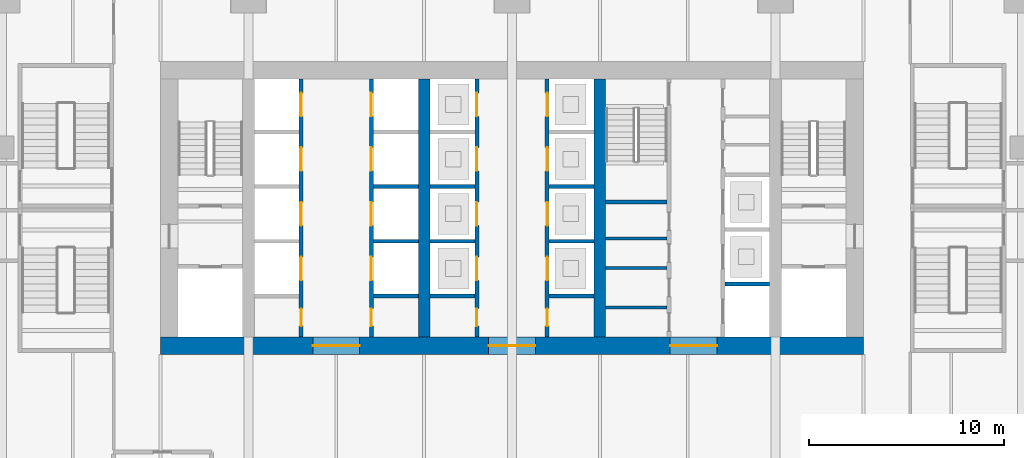
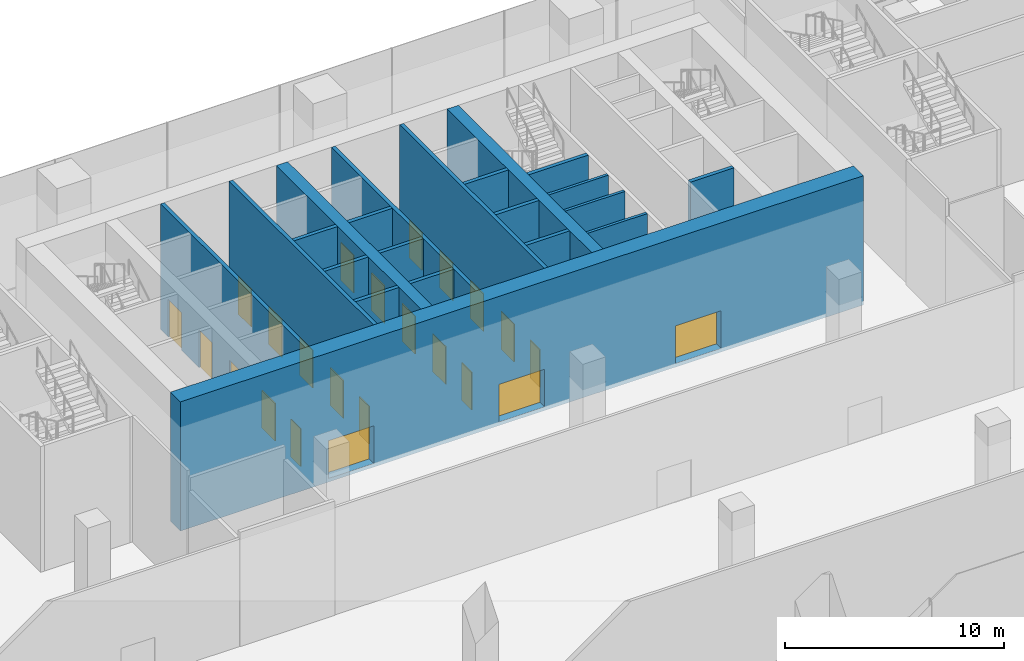
# One storey, part 30 of 41: 23 doors, 21 walls, 23 openings.
"""IFC4 building model written with IfcOpenShell, lengths in metres."""

from ifc_helpers import new_model, si_unit, direction, frame, frame_2d, origin, place, context, subcontext, project, spatial, rectangle, extrude, material, layer, layer_set, type_object, element, fill, save


model = new_model("IFC4")

# Units and contexts
model_context = context("Model", 3, precision=1e-05, world=origin(), true_north=direction((0.0, 1.0)))
body_context = subcontext(model_context, "Body", "Model", "MODEL_VIEW")
ifc_project = project(units=[si_unit("LENGTHUNIT", "METRE"), si_unit("AREAUNIT", "SQUARE_METRE"), si_unit("VOLUMEUNIT", "CUBIC_METRE"), si_unit("PLANEANGLEUNIT", "RADIAN"), si_unit("MASSUNIT", "GRAM", prefix="KILO")], contexts=[model_context])

# Site, building, storey
site_placement = place(None, origin())
site = spatial("IfcSite", under=ifc_project, at=site_placement, CompositionType="ELEMENT")
building_placement = place(site_placement, origin())
building = spatial("IfcBuilding", under=site, at=building_placement, Name="Rattan Terrace Tower", CompositionType="ELEMENT")
storey_placement = place(building_placement, origin())
storey = spatial("IfcBuildingStorey", under=building, at=storey_placement, Name="L00", CompositionType="ELEMENT", Elevation=0.0)

# Walls
ifc_material_1 = material(Name="Gypsum board partition")
ifc_layer_1 = layer(ifc_material_1, 0.14990234375)
ifc_layer_set_1 = layer_set([ifc_layer_1], Name="Core partition 150")
wall_type_1 = type_object("IfcWallType", Name="Core partition 150", PredefinedType="PARTITIONING", material=ifc_layer_set_1)
for number, where, z_axis, x_axis, name in (
    (1, (4.800048828125, -5.10400390625, 0.0), (0.0, 0.0, 1.0), (1.0, 0.0, 0.0), "Toilet wall"),
    (2, (4.800048828125, -3.06396484375, 0.0), (0.0, 0.0, 1.0), (1.0, 0.0, 0.0), "Toilet wall"),
    (3, (4.800048828125, -1.568115234375, 0.0), (0.0, 0.0, 1.0), (1.0, 0.0, 0.0), "Toilet wall"),
):
    element("IfcWall", number, at=place(storey_placement, frame(where, z_axis=z_axis, x_axis=x_axis)), inside=storey, type_object=wall_type_1, Name=name, PredefinedType="PARTITIONING", context=body_context, shape_type="SweptSolid", body=[
        extrude(rectangle(XDim=3.14990234375, YDim=0.14990234375, at=frame_2d((1.574951171875, 0.0))), origin(), (0.0, 0.0, 1.0), 7.0),
    ])
ifc_material_2 = material(Name="Gypsum board partition")
ifc_layer_2 = layer(ifc_material_2, 0.199951171875)
ifc_layer_set_2 = layer_set([ifc_layer_2], Name="Core partition 200")
wall_type_2 = type_object("IfcWallType", Name="Core partition 200", PredefinedType="PARTITIONING", material=ifc_layer_set_2)
wall_1_placement = place(storey_placement, frame((4.800048828125, 0.300048828125, 0.0), z_axis=(0.0, 0.0, 1.0), x_axis=(1.0, 0.0, 0.0)))
element("IfcWall", 4, at=wall_1_placement, inside=storey, type_object=wall_type_2, Name="Stair enclosure wall", PredefinedType="PARTITIONING", context=body_context, shape_type="SweptSolid", body=[
    extrude(rectangle(XDim=3.14990234375, YDim=0.199951171875, at=frame_2d((1.574951171875, 0.0))), origin(), (0.0, 0.0, 1.0), 7.0),
])

# Wall, openings, doors
ifc_material_3 = material(Name="Concrete C70/85", Category="concrete")
ifc_layer_3 = layer(ifc_material_3, 0.89990234375)
ifc_layer_set_3 = layer_set([ifc_layer_3], Name="Core ring wall 900 C70/85")
wall_type_3 = type_object("IfcWallType", Name="Core ring wall 900 C70/85", PredefinedType="SHEAR", material=ifc_layer_set_3)
wall_2_placement = place(storey_placement, frame((-18.0, -7.050048828125, -0.199951171875), z_axis=(0.0, 0.0, 1.0), x_axis=(1.0, 0.0, 0.0)))
wall_2 = element("IfcWall", 5, at=wall_2_placement, inside=storey, type_object=wall_type_3, Name="Rear core wall south", PredefinedType="SHEAR", context=body_context, shape_type="SweptSolid", body=[
    extrude(rectangle(XDim=36.0, YDim=0.89990234375, at=frame_2d((18.0, 0.0))), origin(), (0.0, 0.0, 1.0), 7.199951171875),
])
opening_1_placement = place(wall_2_placement, frame((7.800048828125, 0.0, 0.199951171875)))
opening_1 = element("IfcOpeningElement", 6, at=opening_1_placement, cuts=wall_2, Name="Opening L00-D007", PredefinedType="OPENING", context=body_context, shape_type="SweptSolid", body=[
    extrude(rectangle(XDim=2.39990234375, YDim=2.10009765625, at=frame_2d((1.199951171875, 1.050048828125))), frame((0.0, 0.46044921875, 0.0), z_axis=(0.0, -1.0, 0.0), x_axis=(1.0, 0.0, 0.0)), (0.0, 0.0, 1.0), 0.9208984375),
])
opening_2_placement = place(wall_2_placement, frame((16.800048828125, 0.0, 0.199951171875)))
opening_2 = element("IfcOpeningElement", 7, at=opening_2_placement, cuts=wall_2, Name="Opening L00-D010", PredefinedType="OPENING", context=body_context, shape_type="SweptSolid", body=[
    extrude(rectangle(XDim=2.39990234375, YDim=2.10009765625, at=frame_2d((1.199951171875, 1.050048828125))), frame((0.0, 0.46044921875, 0.0), z_axis=(0.0, -1.0, 0.0), x_axis=(1.0, 0.0, 0.0)), (0.0, 0.0, 1.0), 0.9208984375),
])
opening_3_placement = place(wall_2_placement, frame((26.10009765625, 0.0, 0.199951171875)))
opening_3 = element("IfcOpeningElement", 8, at=opening_3_placement, cuts=wall_2, Name="Opening L00-D016", PredefinedType="OPENING", context=body_context, shape_type="SweptSolid", body=[
    extrude(rectangle(XDim=2.39990234375, YDim=2.10009765625, at=frame_2d((1.199951171875, 1.050048828125))), frame((0.0, 0.46044921875, 0.0), z_axis=(0.0, -1.0, 0.0), x_axis=(1.0, 0.0, 0.0)), (0.0, 0.0, 1.0), 0.9208984375),
])
ifc_material_4 = material(Name="Hollow-metal fire door leaf")
door_type_1 = type_object("IfcDoorType", Name="Core lift lobby door 2400", OperationType="NOTDEFINED", PredefinedType="DOOR", material=ifc_material_4)
door_1_placement = place(opening_1_placement, origin())
door_1 = element("IfcDoor", 9, at=door_1_placement, inside=storey, type_object=door_type_1, Name="Door L00-D007", OperationType="DOUBLE_DOOR_DOUBLE_SWING", OverallHeight=2.10009765625, OverallWidth=2.39990234375, PredefinedType="DOOR", context=body_context, shape_type="SweptSolid", body=[
    extrude(rectangle(XDim=2.39990234375, YDim=2.10009765625, at=frame_2d((1.199951171875, 1.050048828125))), frame((0.0, 0.02490234375, 0.0), z_axis=(0.0, -1.0, 0.0), x_axis=(1.0, 0.0, 0.0)), (0.0, 0.0, 1.0), 0.050048828125),
])
fill(opening_1, door_1)
door_2_placement = place(opening_2_placement, origin())
door_2 = element("IfcDoor", 10, at=door_2_placement, inside=storey, type_object=door_type_1, Name="Door L00-D010", OperationType="DOUBLE_DOOR_DOUBLE_SWING", OverallHeight=2.10009765625, OverallWidth=2.39990234375, PredefinedType="DOOR", context=body_context, shape_type="SweptSolid", body=[
    extrude(rectangle(XDim=2.39990234375, YDim=2.10009765625, at=frame_2d((1.199951171875, 1.050048828125))), frame((0.0, 0.02490234375, 0.0), z_axis=(0.0, -1.0, 0.0), x_axis=(1.0, 0.0, 0.0)), (0.0, 0.0, 1.0), 0.050048828125),
])
fill(opening_2, door_2)
door_3_placement = place(opening_3_placement, origin())
door_3 = element("IfcDoor", 11, at=door_3_placement, inside=storey, type_object=door_type_1, Name="Door L00-D016", OperationType="DOUBLE_DOOR_DOUBLE_SWING", OverallHeight=2.10009765625, OverallWidth=2.39990234375, PredefinedType="DOOR", context=body_context, shape_type="SweptSolid", body=[
    extrude(rectangle(XDim=2.39990234375, YDim=2.10009765625, at=frame_2d((1.199951171875, 1.050048828125))), frame((0.0, 0.02490234375, 0.0), z_axis=(0.0, -1.0, 0.0), x_axis=(1.0, 0.0, 0.0)), (0.0, 0.0, 1.0), 0.050048828125),
])
fill(opening_3, door_3)

# Walls
ifc_material_5 = material(Name="Concrete C70/85", Category="concrete")
ifc_layer_4 = layer(ifc_material_5, 0.60009765625)
ifc_layer_set_4 = layer_set([ifc_layer_4], Name="Core spine wall 600 C70/85")
wall_type_4 = type_object("IfcWallType", Name="Core spine wall 600 C70/85", PredefinedType="SHEAR", material=ifc_layer_set_4)
for number, where, z_axis, x_axis, name in (
    (12, (-4.5, -6.60009765625, -0.199951171875), (0.0, 0.0, 1.0), (0.0, 1.0, 0.0), "Core spine wall 2"),
    (13, (4.5, -6.60009765625, -0.199951171875), (0.0, 0.0, 1.0), (0.0, 1.0, 0.0), "Core spine wall 3"),
):
    element("IfcWall", number, at=place(storey_placement, frame(where, z_axis=z_axis, x_axis=x_axis)), inside=storey, type_object=wall_type_4, Name=name, PredefinedType="SHEAR", context=body_context, shape_type="SweptSolid", body=[
        extrude(rectangle(XDim=13.2001953125, YDim=0.60009765625, at=frame_2d((6.60009765625, 0.0))), origin(), (0.0, 0.0, 1.0), 7.199951171875),
    ])

# Wall, openings, doors
ifc_material_6 = material(Name="Gypsum shaft wall system")
ifc_layer_5 = layer(ifc_material_6, 0.199951171875)
ifc_layer_set_5 = layer_set([ifc_layer_5], Name="Lift shaft wall 200")
wall_type_5 = type_object("IfcWallType", Name="Lift shaft wall 200", PredefinedType="PARTITIONING", material=ifc_layer_set_5)
wall_3_placement = place(storey_placement, frame((-10.800048828125, -6.60009765625, 0.0), z_axis=(0.0, 0.0, 1.0), x_axis=(0.0, 1.0, 0.0)))
wall_3 = element("IfcWall", 14, at=wall_3_placement, inside=storey, type_object=wall_type_5, Name="Lift shaft front wall", PredefinedType="PARTITIONING", context=body_context, shape_type="SweptSolid", body=[
    extrude(rectangle(XDim=13.2001953125, YDim=0.199951171875, at=frame_2d((6.60009765625, 0.0))), origin(), (0.0, 0.0, 1.0), 7.0),
])
opening_4_placement = place(wall_3_placement, frame((0.550048828125, 0.0, 0.0)))
opening_4 = element("IfcOpeningElement", 15, at=opening_4_placement, cuts=wall_3, Name="Opening L00-D005", PredefinedType="OPENING", context=body_context, shape_type="SweptSolid", body=[
    extrude(rectangle(XDim=0.89990234375, YDim=2.10009765625, at=frame_2d((0.449951171875, 1.050048828125))), frame((0.0, 0.110595703125, 0.0), z_axis=(0.0, -1.0, 0.0), x_axis=(1.0, 0.0, 0.0)), (0.0, 0.0, 1.0), 0.220947265625),
])
opening_5_placement = place(wall_3_placement, frame((2.89990234375, 0.0, 0.0)))
opening_5 = element("IfcOpeningElement", 16, at=opening_5_placement, cuts=wall_3, Name="Opening L00-LD-LR1", PredefinedType="OPENING", context=body_context, shape_type="SweptSolid", body=[
    extrude(rectangle(XDim=1.199951171875, YDim=2.10009765625, at=frame_2d((0.60009765625, 1.050048828125))), frame((0.0, 0.110595703125, 0.0), z_axis=(0.0, -1.0, 0.0), x_axis=(1.0, 0.0, 0.0)), (0.0, 0.0, 1.0), 0.220947265625),
])
opening_6_placement = place(wall_3_placement, frame((5.699951171875, 0.0, 0.0)))
opening_6 = element("IfcOpeningElement", 17, at=opening_6_placement, cuts=wall_3, Name="Opening L00-LD-LR2", PredefinedType="OPENING", context=body_context, shape_type="SweptSolid", body=[
    extrude(rectangle(XDim=1.199951171875, YDim=2.10009765625, at=frame_2d((0.60009765625, 1.050048828125))), frame((0.0, 0.110595703125, 0.0), z_axis=(0.0, -1.0, 0.0), x_axis=(1.0, 0.0, 0.0)), (0.0, 0.0, 1.0), 0.220947265625),
])
opening_7_placement = place(wall_3_placement, frame((8.5, 0.0, 0.0)))
opening_7 = element("IfcOpeningElement", 18, at=opening_7_placement, cuts=wall_3, Name="Opening L00-LD-LR3", PredefinedType="OPENING", context=body_context, shape_type="SweptSolid", body=[
    extrude(rectangle(XDim=1.199951171875, YDim=2.10009765625, at=frame_2d((0.60009765625, 1.050048828125))), frame((0.0, 0.110595703125, 0.0), z_axis=(0.0, -1.0, 0.0), x_axis=(1.0, 0.0, 0.0)), (0.0, 0.0, 1.0), 0.220947265625),
])
opening_8_placement = place(wall_3_placement, frame((11.300048828125, 0.0, 0.0)))
opening_8 = element("IfcOpeningElement", 19, at=opening_8_placement, cuts=wall_3, Name="Opening L00-LD-LR4", PredefinedType="OPENING", context=body_context, shape_type="SweptSolid", body=[
    extrude(rectangle(XDim=1.199951171875, YDim=2.10009765625, at=frame_2d((0.60009765625, 1.050048828125))), frame((0.0, 0.110595703125, 0.0), z_axis=(0.0, -1.0, 0.0), x_axis=(1.0, 0.0, 0.0)), (0.0, 0.0, 1.0), 0.220947265625),
])
ifc_material_7 = material(Name="Brushed stainless landing door panel")
door_type_2 = type_object("IfcDoorType", Name="Core lift landing door 1200", OperationType="DOUBLE_DOOR_SLIDING", PredefinedType="DOOR", material=ifc_material_7)
door_4_placement = place(opening_5_placement, origin())
door_4 = element("IfcDoor", 20, at=door_4_placement, inside=storey, type_object=door_type_2, Name="Door L00-LD-LR1", OperationType="DOUBLE_DOOR_SLIDING", OverallHeight=2.10009765625, OverallWidth=1.199951171875, PredefinedType="DOOR", context=body_context, shape_type="SweptSolid", body=[
    extrude(rectangle(XDim=1.199951171875, YDim=2.10009765625, at=frame_2d((0.60009765625, 1.050048828125))), frame((0.0, 0.02490234375, 0.0), z_axis=(0.0, -1.0, 0.0), x_axis=(1.0, 0.0, 0.0)), (0.0, 0.0, 1.0), 0.050048828125),
])
fill(opening_5, door_4)
door_5_placement = place(opening_6_placement, origin())
door_5 = element("IfcDoor", 21, at=door_5_placement, inside=storey, type_object=door_type_2, Name="Door L00-LD-LR2", OperationType="DOUBLE_DOOR_SLIDING", OverallHeight=2.10009765625, OverallWidth=1.199951171875, PredefinedType="DOOR", context=body_context, shape_type="SweptSolid", body=[
    extrude(rectangle(XDim=1.199951171875, YDim=2.10009765625, at=frame_2d((0.60009765625, 1.050048828125))), frame((0.0, 0.02490234375, 0.0), z_axis=(0.0, -1.0, 0.0), x_axis=(1.0, 0.0, 0.0)), (0.0, 0.0, 1.0), 0.050048828125),
])
fill(opening_6, door_5)
door_6_placement = place(opening_7_placement, origin())
door_6 = element("IfcDoor", 22, at=door_6_placement, inside=storey, type_object=door_type_2, Name="Door L00-LD-LR3", OperationType="DOUBLE_DOOR_SLIDING", OverallHeight=2.10009765625, OverallWidth=1.199951171875, PredefinedType="DOOR", context=body_context, shape_type="SweptSolid", body=[
    extrude(rectangle(XDim=1.199951171875, YDim=2.10009765625, at=frame_2d((0.60009765625, 1.050048828125))), frame((0.0, 0.02490234375, 0.0), z_axis=(0.0, -1.0, 0.0), x_axis=(1.0, 0.0, 0.0)), (0.0, 0.0, 1.0), 0.050048828125),
])
fill(opening_7, door_6)
door_7_placement = place(opening_8_placement, origin())
door_7 = element("IfcDoor", 23, at=door_7_placement, inside=storey, type_object=door_type_2, Name="Door L00-LD-LR4", OperationType="DOUBLE_DOOR_SLIDING", OverallHeight=2.10009765625, OverallWidth=1.199951171875, PredefinedType="DOOR", context=body_context, shape_type="SweptSolid", body=[
    extrude(rectangle(XDim=1.199951171875, YDim=2.10009765625, at=frame_2d((0.60009765625, 1.050048828125))), frame((0.0, 0.02490234375, 0.0), z_axis=(0.0, -1.0, 0.0), x_axis=(1.0, 0.0, 0.0)), (0.0, 0.0, 1.0), 0.050048828125),
])
fill(opening_8, door_7)
ifc_material_8 = material(Name="Hollow-metal fire door leaf")
door_type_3 = type_object("IfcDoorType", Name="Core riser door 900", OperationType="NOTDEFINED", PredefinedType="DOOR", material=ifc_material_8)
door_8_placement = place(opening_4_placement, origin())
door_8 = element("IfcDoor", 24, at=door_8_placement, inside=storey, type_object=door_type_3, Name="Door L00-D005", OperationType="SINGLE_SWING_RIGHT", OverallHeight=2.10009765625, OverallWidth=0.89990234375, PredefinedType="DOOR", context=body_context, shape_type="SweptSolid", body=[
    extrude(rectangle(XDim=0.89990234375, YDim=2.10009765625, at=frame_2d((0.449951171875, 1.050048828125))), frame((0.0, 0.02490234375, 0.0), z_axis=(0.0, -1.0, 0.0), x_axis=(1.0, 0.0, 0.0)), (0.0, 0.0, 1.0), 0.050048828125),
])
fill(opening_4, door_8)

wall_4_placement = place(storey_placement, frame((-7.199951171875, -6.60009765625, 0.0), z_axis=(0.0, 0.0, 1.0), x_axis=(0.0, 1.0, 0.0)))
wall_4 = element("IfcWall", 25, at=wall_4_placement, inside=storey, type_object=wall_type_5, Name="Lift shaft front wall", PredefinedType="PARTITIONING", context=body_context, shape_type="SweptSolid", body=[
    extrude(rectangle(XDim=13.2001953125, YDim=0.199951171875, at=frame_2d((6.60009765625, 0.0))), origin(), (0.0, 0.0, 1.0), 7.0),
])
opening_9_placement = place(wall_4_placement, frame((0.550048828125, 0.0, 0.0)))
opening_9 = element("IfcOpeningElement", 26, at=opening_9_placement, cuts=wall_4, Name="Opening L00-D006", PredefinedType="OPENING", context=body_context, shape_type="SweptSolid", body=[
    extrude(rectangle(XDim=0.89990234375, YDim=2.10009765625, at=frame_2d((0.449951171875, 1.050048828125))), frame((0.0, 0.110595703125, 0.0), z_axis=(0.0, -1.0, 0.0), x_axis=(1.0, 0.0, 0.0)), (0.0, 0.0, 1.0), 0.220947265625),
])
opening_10_placement = place(wall_4_placement, frame((2.89990234375, 0.0, 0.0)))
opening_10 = element("IfcOpeningElement", 27, at=opening_10_placement, cuts=wall_4, Name="Opening L00-LD-LR5", PredefinedType="OPENING", context=body_context, shape_type="SweptSolid", body=[
    extrude(rectangle(XDim=1.199951171875, YDim=2.10009765625, at=frame_2d((0.60009765625, 1.050048828125))), frame((0.0, 0.110595703125, 0.0), z_axis=(0.0, -1.0, 0.0), x_axis=(1.0, 0.0, 0.0)), (0.0, 0.0, 1.0), 0.220947265625),
])
opening_11_placement = place(wall_4_placement, frame((5.699951171875, 0.0, 0.0)))
opening_11 = element("IfcOpeningElement", 28, at=opening_11_placement, cuts=wall_4, Name="Opening L00-LD-LR6", PredefinedType="OPENING", context=body_context, shape_type="SweptSolid", body=[
    extrude(rectangle(XDim=1.199951171875, YDim=2.10009765625, at=frame_2d((0.60009765625, 1.050048828125))), frame((0.0, 0.110595703125, 0.0), z_axis=(0.0, -1.0, 0.0), x_axis=(1.0, 0.0, 0.0)), (0.0, 0.0, 1.0), 0.220947265625),
])
opening_12_placement = place(wall_4_placement, frame((8.5, 0.0, 0.0)))
opening_12 = element("IfcOpeningElement", 29, at=opening_12_placement, cuts=wall_4, Name="Opening L00-LD-LR7", PredefinedType="OPENING", context=body_context, shape_type="SweptSolid", body=[
    extrude(rectangle(XDim=1.199951171875, YDim=2.10009765625, at=frame_2d((0.60009765625, 1.050048828125))), frame((0.0, 0.110595703125, 0.0), z_axis=(0.0, -1.0, 0.0), x_axis=(1.0, 0.0, 0.0)), (0.0, 0.0, 1.0), 0.220947265625),
])
opening_13_placement = place(wall_4_placement, frame((11.300048828125, 0.0, 0.0)))
opening_13 = element("IfcOpeningElement", 30, at=opening_13_placement, cuts=wall_4, Name="Opening L00-LD-LR8", PredefinedType="OPENING", context=body_context, shape_type="SweptSolid", body=[
    extrude(rectangle(XDim=1.199951171875, YDim=2.10009765625, at=frame_2d((0.60009765625, 1.050048828125))), frame((0.0, 0.110595703125, 0.0), z_axis=(0.0, -1.0, 0.0), x_axis=(1.0, 0.0, 0.0)), (0.0, 0.0, 1.0), 0.220947265625),
])
door_9_placement = place(opening_10_placement, origin())
door_9 = element("IfcDoor", 31, at=door_9_placement, inside=storey, type_object=door_type_2, Name="Door L00-LD-LR5", OperationType="DOUBLE_DOOR_SLIDING", OverallHeight=2.10009765625, OverallWidth=1.199951171875, PredefinedType="DOOR", context=body_context, shape_type="SweptSolid", body=[
    extrude(rectangle(XDim=1.199951171875, YDim=2.10009765625, at=frame_2d((0.60009765625, 1.050048828125))), frame((0.0, 0.02490234375, 0.0), z_axis=(0.0, -1.0, 0.0), x_axis=(1.0, 0.0, 0.0)), (0.0, 0.0, 1.0), 0.050048828125),
])
fill(opening_10, door_9)
door_10_placement = place(opening_11_placement, origin())
door_10 = element("IfcDoor", 32, at=door_10_placement, inside=storey, type_object=door_type_2, Name="Door L00-LD-LR6", OperationType="DOUBLE_DOOR_SLIDING", OverallHeight=2.10009765625, OverallWidth=1.199951171875, PredefinedType="DOOR", context=body_context, shape_type="SweptSolid", body=[
    extrude(rectangle(XDim=1.199951171875, YDim=2.10009765625, at=frame_2d((0.60009765625, 1.050048828125))), frame((0.0, 0.02490234375, 0.0), z_axis=(0.0, -1.0, 0.0), x_axis=(1.0, 0.0, 0.0)), (0.0, 0.0, 1.0), 0.050048828125),
])
fill(opening_11, door_10)
door_11_placement = place(opening_12_placement, origin())
door_11 = element("IfcDoor", 33, at=door_11_placement, inside=storey, type_object=door_type_2, Name="Door L00-LD-LR7", OperationType="DOUBLE_DOOR_SLIDING", OverallHeight=2.10009765625, OverallWidth=1.199951171875, PredefinedType="DOOR", context=body_context, shape_type="SweptSolid", body=[
    extrude(rectangle(XDim=1.199951171875, YDim=2.10009765625, at=frame_2d((0.60009765625, 1.050048828125))), frame((0.0, 0.02490234375, 0.0), z_axis=(0.0, -1.0, 0.0), x_axis=(1.0, 0.0, 0.0)), (0.0, 0.0, 1.0), 0.050048828125),
])
fill(opening_12, door_11)
door_12_placement = place(opening_13_placement, origin())
door_12 = element("IfcDoor", 34, at=door_12_placement, inside=storey, type_object=door_type_2, Name="Door L00-LD-LR8", OperationType="DOUBLE_DOOR_SLIDING", OverallHeight=2.10009765625, OverallWidth=1.199951171875, PredefinedType="DOOR", context=body_context, shape_type="SweptSolid", body=[
    extrude(rectangle(XDim=1.199951171875, YDim=2.10009765625, at=frame_2d((0.60009765625, 1.050048828125))), frame((0.0, 0.02490234375, 0.0), z_axis=(0.0, -1.0, 0.0), x_axis=(1.0, 0.0, 0.0)), (0.0, 0.0, 1.0), 0.050048828125),
])
fill(opening_13, door_12)
door_13_placement = place(opening_9_placement, origin())
door_13 = element("IfcDoor", 35, at=door_13_placement, inside=storey, type_object=door_type_3, Name="Door L00-D006", OperationType="SINGLE_SWING_LEFT", OverallHeight=2.10009765625, OverallWidth=0.89990234375, PredefinedType="DOOR", context=body_context, shape_type="SweptSolid", body=[
    extrude(rectangle(XDim=0.89990234375, YDim=2.10009765625, at=frame_2d((0.449951171875, 1.050048828125))), frame((0.0, 0.02490234375, 0.0), z_axis=(0.0, -1.0, 0.0), x_axis=(1.0, 0.0, 0.0)), (0.0, 0.0, 1.0), 0.050048828125),
])
fill(opening_9, door_13)

# Walls
for number, where, z_axis, x_axis, name in (
    (36, (-7.10009765625, -1.699951171875, 0.0), (0.0, 0.0, 1.0), (1.0, 0.0, 0.0), "Lift shaft wall"),
    (37, (-7.10009765625, 1.10009765625, 0.0), (0.0, 0.0, 1.0), (1.0, 0.0, 0.0), "Lift shaft wall"),
    (38, (-7.10009765625, -4.5, 0.0), (0.0, 0.0, 1.0), (1.0, 0.0, 0.0), "Lift shaft wall"),
):
    element("IfcWall", number, at=place(storey_placement, frame(where, z_axis=z_axis, x_axis=x_axis)), inside=storey, type_object=wall_type_5, Name=name, PredefinedType="PARTITIONING", context=body_context, shape_type="SweptSolid", body=[
        extrude(rectangle(XDim=2.300048828125, YDim=0.199951171875, at=frame_2d((1.14990234375, 0.0))), origin(), (0.0, 0.0, 1.0), 7.0),
    ])

# Wall, openings, doors
wall_5_placement = place(storey_placement, frame((-1.800048828125, -6.60009765625, 0.0), z_axis=(0.0, 0.0, 1.0), x_axis=(0.0, 1.0, 0.0)))
wall_5 = element("IfcWall", 39, at=wall_5_placement, inside=storey, type_object=wall_type_5, Name="Lift shaft front wall", PredefinedType="PARTITIONING", context=body_context, shape_type="SweptSolid", body=[
    extrude(rectangle(XDim=13.2001953125, YDim=0.199951171875, at=frame_2d((6.60009765625, 0.0))), origin(), (0.0, 0.0, 1.0), 7.0),
])
opening_14_placement = place(wall_5_placement, frame((0.550048828125, 0.0, 0.0)))
opening_14 = element("IfcOpeningElement", 40, at=opening_14_placement, cuts=wall_5, Name="Opening L00-D008", PredefinedType="OPENING", context=body_context, shape_type="SweptSolid", body=[
    extrude(rectangle(XDim=0.89990234375, YDim=2.10009765625, at=frame_2d((0.449951171875, 1.050048828125))), frame((0.0, 0.110595703125, 0.0), z_axis=(0.0, -1.0, 0.0), x_axis=(1.0, 0.0, 0.0)), (0.0, 0.0, 1.0), 0.220947265625),
])
opening_15_placement = place(wall_5_placement, frame((2.89990234375, 0.0, 0.0)))
opening_15 = element("IfcOpeningElement", 41, at=opening_15_placement, cuts=wall_5, Name="Opening L00-LD-HR1", PredefinedType="OPENING", context=body_context, shape_type="SweptSolid", body=[
    extrude(rectangle(XDim=1.199951171875, YDim=2.10009765625, at=frame_2d((0.60009765625, 1.050048828125))), frame((0.0, 0.110595703125, 0.0), z_axis=(0.0, -1.0, 0.0), x_axis=(1.0, 0.0, 0.0)), (0.0, 0.0, 1.0), 0.220947265625),
])
opening_16_placement = place(wall_5_placement, frame((5.699951171875, 0.0, 0.0)))
opening_16 = element("IfcOpeningElement", 42, at=opening_16_placement, cuts=wall_5, Name="Opening L00-LD-HR2", PredefinedType="OPENING", context=body_context, shape_type="SweptSolid", body=[
    extrude(rectangle(XDim=1.199951171875, YDim=2.10009765625, at=frame_2d((0.60009765625, 1.050048828125))), frame((0.0, 0.110595703125, 0.0), z_axis=(0.0, -1.0, 0.0), x_axis=(1.0, 0.0, 0.0)), (0.0, 0.0, 1.0), 0.220947265625),
])
opening_17_placement = place(wall_5_placement, frame((8.5, 0.0, 0.0)))
opening_17 = element("IfcOpeningElement", 43, at=opening_17_placement, cuts=wall_5, Name="Opening L00-LD-HR3", PredefinedType="OPENING", context=body_context, shape_type="SweptSolid", body=[
    extrude(rectangle(XDim=1.199951171875, YDim=2.10009765625, at=frame_2d((0.60009765625, 1.050048828125))), frame((0.0, 0.110595703125, 0.0), z_axis=(0.0, -1.0, 0.0), x_axis=(1.0, 0.0, 0.0)), (0.0, 0.0, 1.0), 0.220947265625),
])
opening_18_placement = place(wall_5_placement, frame((11.300048828125, 0.0, 0.0)))
opening_18 = element("IfcOpeningElement", 44, at=opening_18_placement, cuts=wall_5, Name="Opening L00-LD-HR4", PredefinedType="OPENING", context=body_context, shape_type="SweptSolid", body=[
    extrude(rectangle(XDim=1.199951171875, YDim=2.10009765625, at=frame_2d((0.60009765625, 1.050048828125))), frame((0.0, 0.110595703125, 0.0), z_axis=(0.0, -1.0, 0.0), x_axis=(1.0, 0.0, 0.0)), (0.0, 0.0, 1.0), 0.220947265625),
])
door_14_placement = place(opening_15_placement, origin())
door_14 = element("IfcDoor", 45, at=door_14_placement, inside=storey, type_object=door_type_2, Name="Door L00-LD-HR1", OperationType="DOUBLE_DOOR_SLIDING", OverallHeight=2.10009765625, OverallWidth=1.199951171875, PredefinedType="DOOR", context=body_context, shape_type="SweptSolid", body=[
    extrude(rectangle(XDim=1.199951171875, YDim=2.10009765625, at=frame_2d((0.60009765625, 1.050048828125))), frame((0.0, 0.02490234375, 0.0), z_axis=(0.0, -1.0, 0.0), x_axis=(1.0, 0.0, 0.0)), (0.0, 0.0, 1.0), 0.050048828125),
])
fill(opening_15, door_14)
door_15_placement = place(opening_16_placement, origin())
door_15 = element("IfcDoor", 46, at=door_15_placement, inside=storey, type_object=door_type_2, Name="Door L00-LD-HR2", OperationType="DOUBLE_DOOR_SLIDING", OverallHeight=2.10009765625, OverallWidth=1.199951171875, PredefinedType="DOOR", context=body_context, shape_type="SweptSolid", body=[
    extrude(rectangle(XDim=1.199951171875, YDim=2.10009765625, at=frame_2d((0.60009765625, 1.050048828125))), frame((0.0, 0.02490234375, 0.0), z_axis=(0.0, -1.0, 0.0), x_axis=(1.0, 0.0, 0.0)), (0.0, 0.0, 1.0), 0.050048828125),
])
fill(opening_16, door_15)
door_16_placement = place(opening_17_placement, origin())
door_16 = element("IfcDoor", 47, at=door_16_placement, inside=storey, type_object=door_type_2, Name="Door L00-LD-HR3", OperationType="DOUBLE_DOOR_SLIDING", OverallHeight=2.10009765625, OverallWidth=1.199951171875, PredefinedType="DOOR", context=body_context, shape_type="SweptSolid", body=[
    extrude(rectangle(XDim=1.199951171875, YDim=2.10009765625, at=frame_2d((0.60009765625, 1.050048828125))), frame((0.0, 0.02490234375, 0.0), z_axis=(0.0, -1.0, 0.0), x_axis=(1.0, 0.0, 0.0)), (0.0, 0.0, 1.0), 0.050048828125),
])
fill(opening_17, door_16)
door_17_placement = place(opening_18_placement, origin())
door_17 = element("IfcDoor", 48, at=door_17_placement, inside=storey, type_object=door_type_2, Name="Door L00-LD-HR4", OperationType="DOUBLE_DOOR_SLIDING", OverallHeight=2.10009765625, OverallWidth=1.199951171875, PredefinedType="DOOR", context=body_context, shape_type="SweptSolid", body=[
    extrude(rectangle(XDim=1.199951171875, YDim=2.10009765625, at=frame_2d((0.60009765625, 1.050048828125))), frame((0.0, 0.02490234375, 0.0), z_axis=(0.0, -1.0, 0.0), x_axis=(1.0, 0.0, 0.0)), (0.0, 0.0, 1.0), 0.050048828125),
])
fill(opening_18, door_17)
door_18_placement = place(opening_14_placement, origin())
door_18 = element("IfcDoor", 49, at=door_18_placement, inside=storey, type_object=door_type_3, Name="Door L00-D008", OperationType="SINGLE_SWING_RIGHT", OverallHeight=2.10009765625, OverallWidth=0.89990234375, PredefinedType="DOOR", context=body_context, shape_type="SweptSolid", body=[
    extrude(rectangle(XDim=0.89990234375, YDim=2.10009765625, at=frame_2d((0.449951171875, 1.050048828125))), frame((0.0, 0.02490234375, 0.0), z_axis=(0.0, -1.0, 0.0), x_axis=(1.0, 0.0, 0.0)), (0.0, 0.0, 1.0), 0.050048828125),
])
fill(opening_14, door_18)

wall_6_placement = place(storey_placement, frame((1.800048828125, -6.60009765625, 0.0), z_axis=(0.0, 0.0, 1.0), x_axis=(0.0, 1.0, 0.0)))
wall_6 = element("IfcWall", 50, at=wall_6_placement, inside=storey, type_object=wall_type_5, Name="Lift shaft front wall", PredefinedType="PARTITIONING", context=body_context, shape_type="SweptSolid", body=[
    extrude(rectangle(XDim=13.2001953125, YDim=0.199951171875, at=frame_2d((6.60009765625, 0.0))), origin(), (0.0, 0.0, 1.0), 7.0),
])
opening_19_placement = place(wall_6_placement, frame((0.550048828125, 0.0, 0.0)))
opening_19 = element("IfcOpeningElement", 51, at=opening_19_placement, cuts=wall_6, Name="Opening L00-D009", PredefinedType="OPENING", context=body_context, shape_type="SweptSolid", body=[
    extrude(rectangle(XDim=0.89990234375, YDim=2.10009765625, at=frame_2d((0.449951171875, 1.050048828125))), frame((0.0, 0.110595703125, 0.0), z_axis=(0.0, -1.0, 0.0), x_axis=(1.0, 0.0, 0.0)), (0.0, 0.0, 1.0), 0.220947265625),
])
opening_20_placement = place(wall_6_placement, frame((2.89990234375, 0.0, 0.0)))
opening_20 = element("IfcOpeningElement", 52, at=opening_20_placement, cuts=wall_6, Name="Opening L00-LD-HR5", PredefinedType="OPENING", context=body_context, shape_type="SweptSolid", body=[
    extrude(rectangle(XDim=1.199951171875, YDim=2.10009765625, at=frame_2d((0.60009765625, 1.050048828125))), frame((0.0, 0.110595703125, 0.0), z_axis=(0.0, -1.0, 0.0), x_axis=(1.0, 0.0, 0.0)), (0.0, 0.0, 1.0), 0.220947265625),
])
opening_21_placement = place(wall_6_placement, frame((5.699951171875, 0.0, 0.0)))
opening_21 = element("IfcOpeningElement", 53, at=opening_21_placement, cuts=wall_6, Name="Opening L00-LD-HR6", PredefinedType="OPENING", context=body_context, shape_type="SweptSolid", body=[
    extrude(rectangle(XDim=1.199951171875, YDim=2.10009765625, at=frame_2d((0.60009765625, 1.050048828125))), frame((0.0, 0.110595703125, 0.0), z_axis=(0.0, -1.0, 0.0), x_axis=(1.0, 0.0, 0.0)), (0.0, 0.0, 1.0), 0.220947265625),
])
opening_22_placement = place(wall_6_placement, frame((8.5, 0.0, 0.0)))
opening_22 = element("IfcOpeningElement", 54, at=opening_22_placement, cuts=wall_6, Name="Opening L00-LD-HR7", PredefinedType="OPENING", context=body_context, shape_type="SweptSolid", body=[
    extrude(rectangle(XDim=1.199951171875, YDim=2.10009765625, at=frame_2d((0.60009765625, 1.050048828125))), frame((0.0, 0.110595703125, 0.0), z_axis=(0.0, -1.0, 0.0), x_axis=(1.0, 0.0, 0.0)), (0.0, 0.0, 1.0), 0.220947265625),
])
opening_23_placement = place(wall_6_placement, frame((11.300048828125, 0.0, 0.0)))
opening_23 = element("IfcOpeningElement", 55, at=opening_23_placement, cuts=wall_6, Name="Opening L00-LD-HR8", PredefinedType="OPENING", context=body_context, shape_type="SweptSolid", body=[
    extrude(rectangle(XDim=1.199951171875, YDim=2.10009765625, at=frame_2d((0.60009765625, 1.050048828125))), frame((0.0, 0.110595703125, 0.0), z_axis=(0.0, -1.0, 0.0), x_axis=(1.0, 0.0, 0.0)), (0.0, 0.0, 1.0), 0.220947265625),
])
door_19_placement = place(opening_20_placement, origin())
door_19 = element("IfcDoor", 56, at=door_19_placement, inside=storey, type_object=door_type_2, Name="Door L00-LD-HR5", OperationType="DOUBLE_DOOR_SLIDING", OverallHeight=2.10009765625, OverallWidth=1.199951171875, PredefinedType="DOOR", context=body_context, shape_type="SweptSolid", body=[
    extrude(rectangle(XDim=1.199951171875, YDim=2.10009765625, at=frame_2d((0.60009765625, 1.050048828125))), frame((0.0, 0.02490234375, 0.0), z_axis=(0.0, -1.0, 0.0), x_axis=(1.0, 0.0, 0.0)), (0.0, 0.0, 1.0), 0.050048828125),
])
fill(opening_20, door_19)
door_20_placement = place(opening_21_placement, origin())
door_20 = element("IfcDoor", 57, at=door_20_placement, inside=storey, type_object=door_type_2, Name="Door L00-LD-HR6", OperationType="DOUBLE_DOOR_SLIDING", OverallHeight=2.10009765625, OverallWidth=1.199951171875, PredefinedType="DOOR", context=body_context, shape_type="SweptSolid", body=[
    extrude(rectangle(XDim=1.199951171875, YDim=2.10009765625, at=frame_2d((0.60009765625, 1.050048828125))), frame((0.0, 0.02490234375, 0.0), z_axis=(0.0, -1.0, 0.0), x_axis=(1.0, 0.0, 0.0)), (0.0, 0.0, 1.0), 0.050048828125),
])
fill(opening_21, door_20)
door_21_placement = place(opening_22_placement, origin())
door_21 = element("IfcDoor", 58, at=door_21_placement, inside=storey, type_object=door_type_2, Name="Door L00-LD-HR7", OperationType="DOUBLE_DOOR_SLIDING", OverallHeight=2.10009765625, OverallWidth=1.199951171875, PredefinedType="DOOR", context=body_context, shape_type="SweptSolid", body=[
    extrude(rectangle(XDim=1.199951171875, YDim=2.10009765625, at=frame_2d((0.60009765625, 1.050048828125))), frame((0.0, 0.02490234375, 0.0), z_axis=(0.0, -1.0, 0.0), x_axis=(1.0, 0.0, 0.0)), (0.0, 0.0, 1.0), 0.050048828125),
])
fill(opening_22, door_21)
door_22_placement = place(opening_23_placement, origin())
door_22 = element("IfcDoor", 59, at=door_22_placement, inside=storey, type_object=door_type_2, Name="Door L00-LD-HR8", OperationType="DOUBLE_DOOR_SLIDING", OverallHeight=2.10009765625, OverallWidth=1.199951171875, PredefinedType="DOOR", context=body_context, shape_type="SweptSolid", body=[
    extrude(rectangle(XDim=1.199951171875, YDim=2.10009765625, at=frame_2d((0.60009765625, 1.050048828125))), frame((0.0, 0.02490234375, 0.0), z_axis=(0.0, -1.0, 0.0), x_axis=(1.0, 0.0, 0.0)), (0.0, 0.0, 1.0), 0.050048828125),
])
fill(opening_23, door_22)
door_23_placement = place(opening_19_placement, origin())
door_23 = element("IfcDoor", 60, at=door_23_placement, inside=storey, type_object=door_type_3, Name="Door L00-D009", OperationType="SINGLE_SWING_LEFT", OverallHeight=2.10009765625, OverallWidth=0.89990234375, PredefinedType="DOOR", context=body_context, shape_type="SweptSolid", body=[
    extrude(rectangle(XDim=0.89990234375, YDim=2.10009765625, at=frame_2d((0.449951171875, 1.050048828125))), frame((0.0, 0.02490234375, 0.0), z_axis=(0.0, -1.0, 0.0), x_axis=(1.0, 0.0, 0.0)), (0.0, 0.0, 1.0), 0.050048828125),
])
fill(opening_19, door_23)

# Walls
for number, where, z_axis, x_axis, name in (
    (61, (-4.199951171875, -1.699951171875, 0.0), (0.0, 0.0, 1.0), (1.0, 0.0, 0.0), "Lift shaft wall"),
    (62, (-4.199951171875, 1.10009765625, 0.0), (0.0, 0.0, 1.0), (1.0, 0.0, 0.0), "Lift shaft wall"),
    (63, (-4.199951171875, -4.5, 0.0), (0.0, 0.0, 1.0), (1.0, 0.0, 0.0), "Lift shaft wall"),
    (64, (1.89990234375, -1.699951171875, 0.0), (0.0, 0.0, 1.0), (1.0, 0.0, 0.0), "Lift shaft wall"),
    (65, (1.89990234375, 1.10009765625, 0.0), (0.0, 0.0, 1.0), (1.0, 0.0, 0.0), "Lift shaft wall"),
    (66, (1.89990234375, -4.5, 0.0), (0.0, 0.0, 1.0), (1.0, 0.0, 0.0), "Lift shaft wall"),
    (67, (10.89990234375, -3.89990234375, 0.0), (0.0, 0.0, 1.0), (1.0, 0.0, 0.0), "Lift shaft wall"),
):
    element("IfcWall", number, at=place(storey_placement, frame(where, z_axis=z_axis, x_axis=x_axis)), inside=storey, type_object=wall_type_5, Name=name, PredefinedType="PARTITIONING", context=body_context, shape_type="SweptSolid", body=[
        extrude(rectangle(XDim=2.300048828125, YDim=0.199951171875, at=frame_2d((1.14990234375, 0.0))), origin(), (0.0, 0.0, 1.0), 7.0),
    ])

save(model, "model.ifc")
